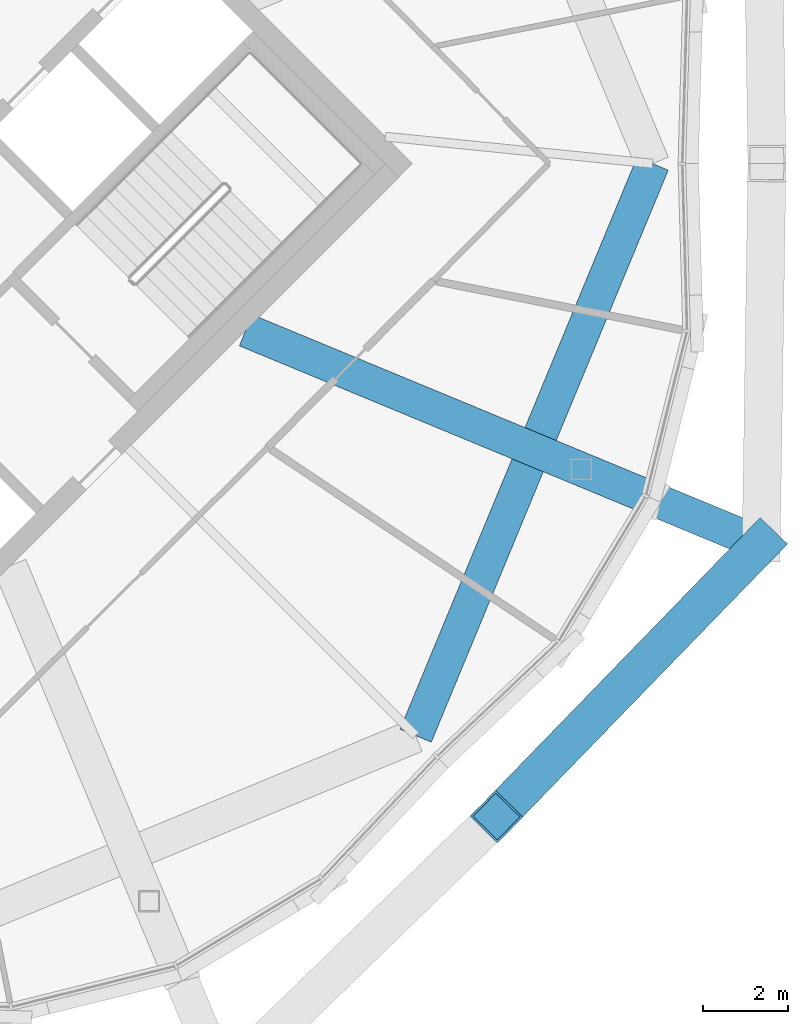
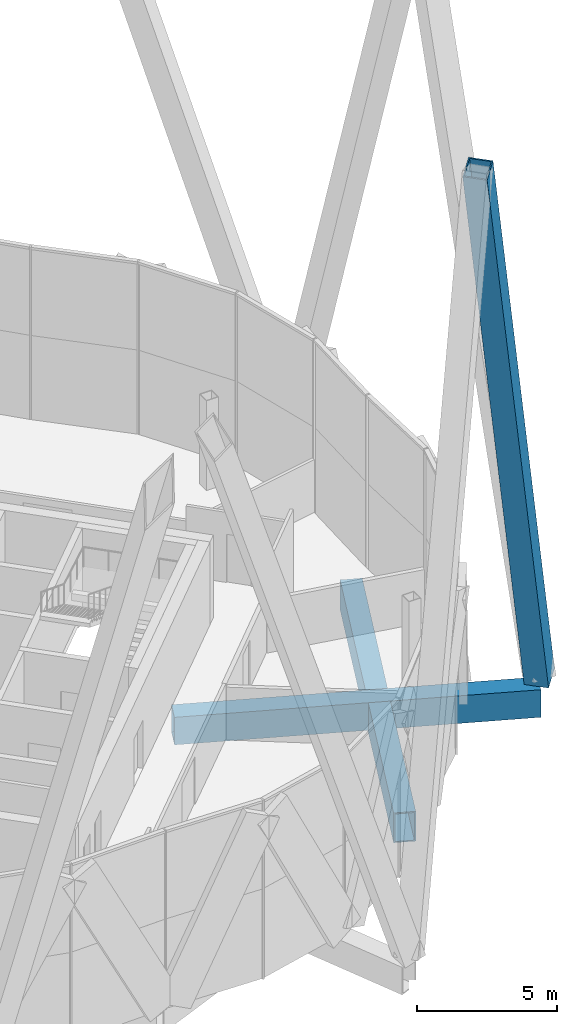
# One storey, part 30 of 53: 2 beams, 1 member.
"""IFC4 building model written with IfcOpenShell, lengths in metres."""

from ifc_helpers import new_model, si_unit, direction, frame, origin, origin_2d, place, context, subcontext, project, spatial, hollow_rectangle, extrude, material, material_profile, profile_set, type_object, element, save


model = new_model("IFC4")

# Units and contexts
model_context = context("Model", 3, precision=1e-05, world=origin(), true_north=direction((0.0, 1.0)))
body_context = subcontext(model_context, "Body", "Model", "MODEL_VIEW")
ifc_project = project(units=[si_unit("LENGTHUNIT", "METRE"), si_unit("AREAUNIT", "SQUARE_METRE"), si_unit("VOLUMEUNIT", "CUBIC_METRE"), si_unit("PLANEANGLEUNIT", "RADIAN"), si_unit("MASSUNIT", "GRAM", prefix="KILO")], contexts=[model_context])

# Site, building, storey
site_placement = place(None, origin())
site = spatial("IfcSite", under=ifc_project, at=site_placement, CompositionType="ELEMENT")
building_placement = place(site_placement, origin())
building = spatial("IfcBuilding", under=site, at=building_placement, Name="Ogive Gate Towers", CompositionType="ELEMENT")
storey_placement = place(building_placement, frame((0.0, 0.0, 240.60009765625)))
storey = spatial("IfcBuildingStorey", under=building, at=storey_placement, Name="L57", CompositionType="ELEMENT", Elevation=240.60009765625)

# Member
ifc_material = material(Name="Steel SM460", Category="steel")
ifc_material_profile_1 = material_profile(ifc_material, hollow_rectangle(XDim=0.89990234375, YDim=0.89990234375, WallThickness=0.050048828125, at=origin_2d()), Name="BX 900x900x50")
ifc_profile_set_1 = profile_set([ifc_material_profile_1], Name="Steel SM460")
member_type = type_object("IfcMemberType", Name="Diagrid diagonal BX 900x900x50", PredefinedType="BRACE", material=ifc_profile_set_1)
member_placement = place(storey_placement, frame((57.67431640625, -8.977783203125, 0.0), z_axis=(-0.211259451685, -0.217751746913, 0.952866003586), x_axis=(0.717725362087, -0.696326291775, 0.0)))
element("IfcMember", 1, at=member_placement, inside=storey, type_object=member_type, Name="T2/L57/SDG015", PredefinedType="BRACE", context=body_context, shape_type="SweptSolid", body=[
    extrude(hollow_rectangle(XDim=0.89990234375, YDim=0.89990234375, WallThickness=0.050048828125, at=origin_2d()), origin(), (0.0, 0.0, 1.0), 29.594970703125),
])

# Beams
ifc_material_profile_2 = material_profile(ifc_material, hollow_rectangle(XDim=0.800048828125, YDim=1.300048828125, WallThickness=0.050048828125, at=origin_2d()), Name="BX 1300x800x50")
ifc_profile_set_2 = profile_set([ifc_material_profile_2], Name="Steel SM460")
beam_type_1 = type_object("IfcBeamType", Name="Edge girder BX 1300x800x50", PredefinedType="BEAM", material=ifc_profile_set_2)
beam_1_placement = place(storey_placement, frame((49.5126953125, -13.5126953125, -0.9501953125), z_axis=(0.38269921506, 0.923872994947, 0.0), x_axis=(-0.923872994947, 0.38269921506, 0.0)))
element("IfcBeam", 2, at=beam_1_placement, inside=storey, type_object=beam_type_1, Name="T2/L57/SBM019", PredefinedType="BEAM", context=body_context, shape_type="SweptSolid", body=[
    extrude(hollow_rectangle(XDim=0.800048828125, YDim=1.300048828125, WallThickness=0.050048828125, at=origin_2d()), origin(), (0.0, 0.0, 1.0), 14.626220703125),
])
ifc_material_profile_3 = material_profile(ifc_material, hollow_rectangle(XDim=0.800048828125, YDim=1.199951171875, WallThickness=0.050048828125, at=origin_2d()), Name="BX 1200x800x50")
ifc_profile_set_3 = profile_set([ifc_material_profile_3], Name="Steel SM460")
beam_type_2 = type_object("IfcBeamType", Name="Transfer radial beam BX 1200x800x50", PredefinedType="BEAM", material=ifc_profile_set_3)
beam_2_placement = place(storey_placement, frame((45.5, -3.93505859375, -0.900146484375), z_axis=(0.923880669006, -0.382680688612, 0.0), x_axis=(0.382680688612, 0.923880669006, 0.0)))
element("IfcBeam", 3, at=beam_2_placement, inside=storey, type_object=beam_type_2, Name="T2/L57/SBM006", PredefinedType="BEAM", context=body_context, shape_type="SweptSolid", body=[
    extrude(hollow_rectangle(XDim=0.800048828125, YDim=1.199951171875, WallThickness=0.050048828125, at=origin_2d()), origin(), (0.0, 0.0, 1.0), 13.177490234375),
])

save(model, "model.ifc")
